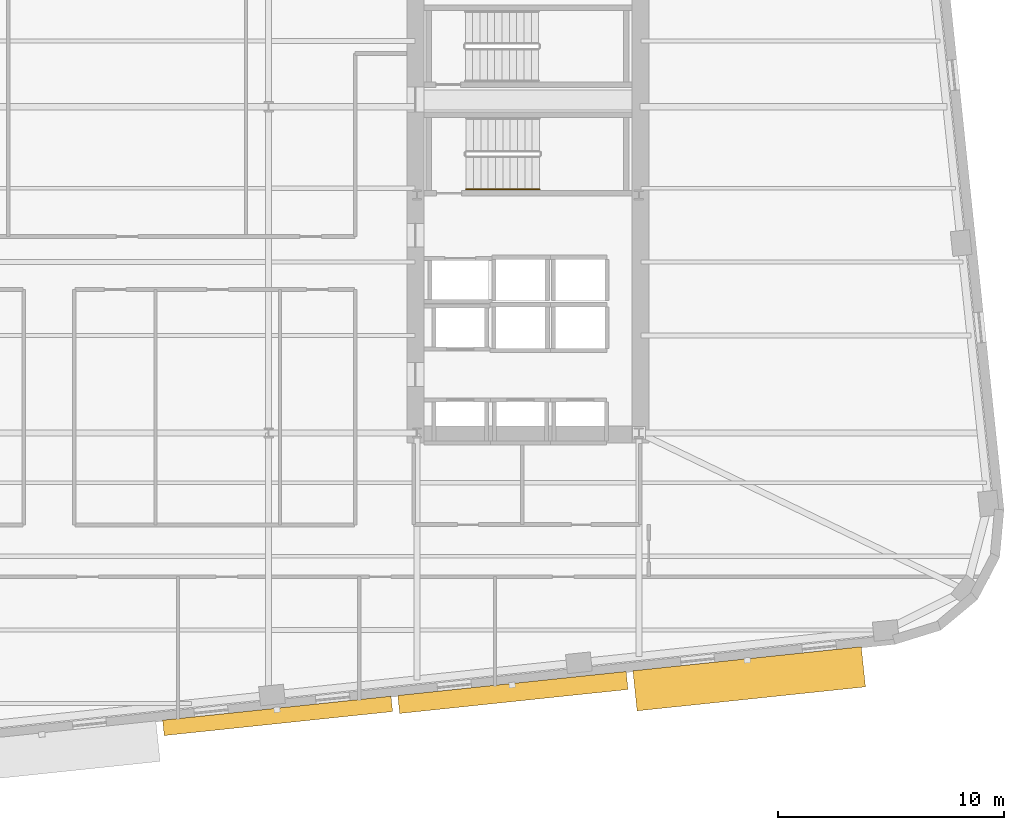
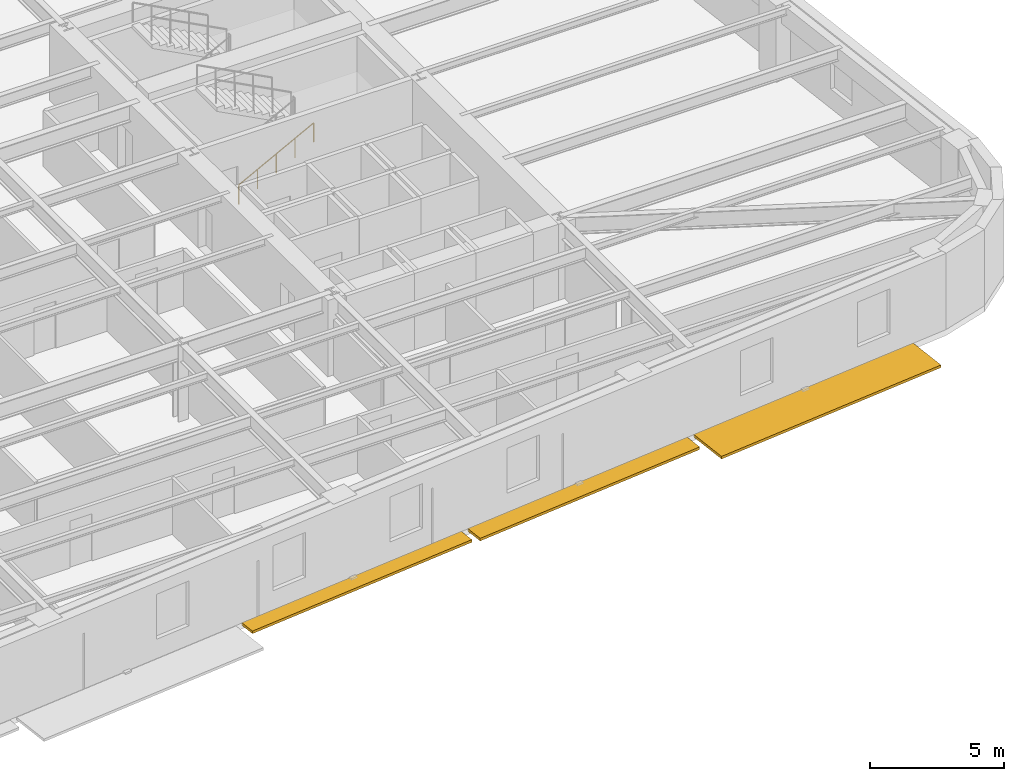
# One storey, part 9 of 11: 3 shading devices, 1 railing.
"""IFC4 building model written with IfcOpenShell, lengths in metres."""

from ifc_helpers import new_model, si_unit, direction, frame, origin, origin_2d, place, context, subcontext, project, spatial, rectangle, circle, extrude, material, type_object, element, save


model = new_model("IFC4")

# Units and contexts
model_context = context("Model", 3, precision=1e-05, world=origin(), true_north=direction((0.0, 1.0)))
body_context = subcontext(model_context, "Body", "Model", "MODEL_VIEW")
ifc_project = project(units=[si_unit("LENGTHUNIT", "METRE"), si_unit("AREAUNIT", "SQUARE_METRE"), si_unit("VOLUMEUNIT", "CUBIC_METRE"), si_unit("PLANEANGLEUNIT", "RADIAN"), si_unit("MASSUNIT", "GRAM", prefix="KILO")], contexts=[model_context])

# Site, building, storey
site_placement = place(None, origin())
site = spatial("IfcSite", under=ifc_project, at=site_placement, CompositionType="ELEMENT")
building_placement = place(site_placement, origin())
building = spatial("IfcBuilding", under=site, at=building_placement, Name="Kolvaren Arena Tower", CompositionType="ELEMENT")
storey_placement = place(building_placement, frame((0.0, 0.0, 103.449951171875)))
storey = spatial("IfcBuildingStorey", under=building, at=storey_placement, Name="L23", CompositionType="ELEMENT", Elevation=103.449951171875)

# Railing
ifc_material_1 = material(Name="Brushed stainless steel handrail", Category="steel")
railing_type = type_object("IfcRailingType", Name="HRAIL-900", PredefinedType="HANDRAIL", material=ifc_material_1)
railing_placement = place(storey_placement, frame((52.719970703125, 30.199951171875, 0.17041015625)))
element("IfcRailing", 1, at=railing_placement, inside=storey, type_object=railing_type, Name="L23 ST-E1 stair handrail 1", PredefinedType="HANDRAIL", context=body_context, shape_type="SweptSolid", body=[
    extrude(circle(Radius=0.02392578125, at=origin_2d()), frame((0.0, 0.0, 0.8759765625), z_axis=(0.884993431791, 0.0, 0.465603506952), x_axis=(0.0, 1.0, 0.0)), (0.0, 0.0, 1.0), 3.6611328125),
    extrude(circle(Radius=0.02099609375, at=origin_2d()), origin(), (0.0, 0.0, 1.0), 0.851806640625),
    extrude(circle(Radius=0.02099609375, at=origin_2d()), frame((0.81005859375, 0.0, 0.42626953125)), (0.0, 0.0, 1.0), 0.851806640625),
    extrude(circle(Radius=0.02099609375, at=origin_2d()), frame((1.6201171875, 0.0, 0.852294921875)), (0.0, 0.0, 1.0), 0.851806640625),
    extrude(circle(Radius=0.02099609375, at=origin_2d()), frame((2.429931640625, 0.0, 1.2783203125)), (0.0, 0.0, 1.0), 0.851806640625),
    extrude(circle(Radius=0.02099609375, at=origin_2d()), frame((3.239990234375, 0.0, 1.70458984375)), (0.0, 0.0, 1.0), 0.851806640625),
])

# Shading devices
ifc_material_2 = material(Name="Architectural precast GFRC and anodised aluminium sunshade", Category="concrete")
shading_device_type_1 = type_object("IfcShadingDeviceType", Name="SHAD-SINE-A", PredefinedType="USERDEFINED", material=ifc_material_2)
shading_device_1_placement = place(storey_placement, frame((54.783203125, 7.9853515625, -0.139892578125), z_axis=(0.0, 0.0, 1.0), x_axis=(-0.994522077803, -0.104526727499, 0.0)))
element("IfcShadingDevice", 2, at=shading_device_1_placement, inside=storey, type_object=shading_device_type_1, Name="Sinusoidal Slab-Edge Sunshade Louvre (L23)", ObjectType="LOUVRE", PredefinedType="USERDEFINED", context=body_context, shape_type="SweptSolid", body=[
    extrude(rectangle(XDim=10.139892578125, YDim=0.80029296875, at=origin_2d()), origin(), (0.0, 0.0, 1.0), 0.1201171875),
])
shading_device_2_placement = place(storey_placement, frame((44.394287109375, 6.951904296875, -0.139892578125), z_axis=(0.0, 0.0, 1.0), x_axis=(-0.994522077803, -0.104526727499, 0.0)))
element("IfcShadingDevice", 3, at=shading_device_2_placement, inside=storey, type_object=shading_device_type_1, Name="Sinusoidal Slab-Edge Sunshade Louvre (L23)", ObjectType="LOUVRE", PredefinedType="USERDEFINED", context=body_context, shape_type="SweptSolid", body=[
    extrude(rectangle(XDim=10.139892578125, YDim=0.68408203125, at=origin_2d()), origin(), (0.0, 0.0, 1.0), 0.1201171875),
])
shading_device_type_2 = type_object("IfcShadingDeviceType", Name="SHAD-SINE-B", PredefinedType="JALOUSIE", material=ifc_material_2)
shading_device_3_placement = place(storey_placement, frame((65.21728515625, 8.58837890625, -0.139892578125), z_axis=(0.0, 0.0, 1.0), x_axis=(-0.994522077803, -0.104526727499, 0.0)))
element("IfcShadingDevice", 4, at=shading_device_3_placement, inside=storey, type_object=shading_device_type_2, Name="Sinusoidal Slab-Edge Sunshade Louvre (L23)", PredefinedType="JALOUSIE", context=body_context, shape_type="SweptSolid", body=[
    extrude(rectangle(XDim=10.139892578125, YDim=1.781982421875, at=origin_2d()), origin(), (0.0, 0.0, 1.0), 0.1201171875),
])

save(model, "model.ifc")
